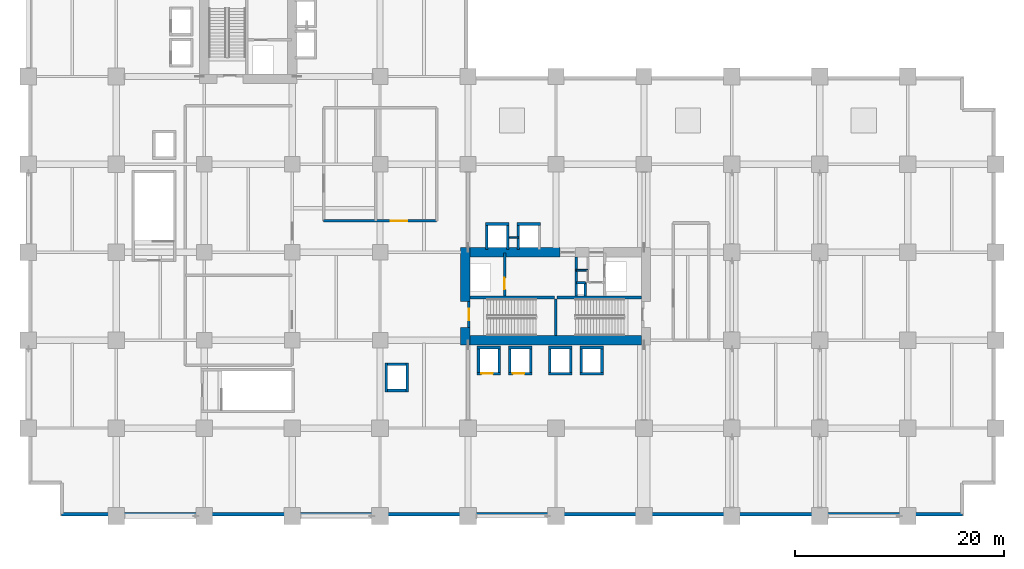
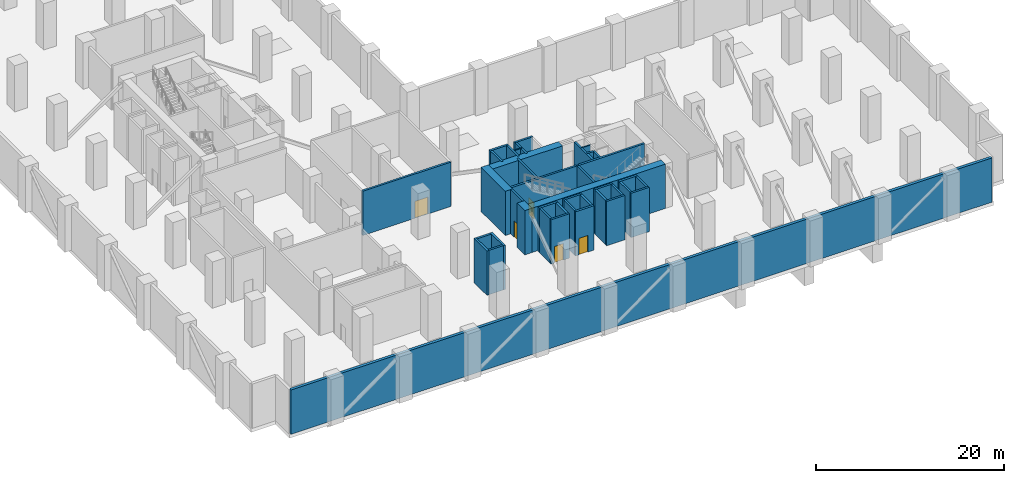
# One storey, part 13 of 20: 41 walls, 5 doors, 5 openings.
"""IFC4 building model written with IfcOpenShell, lengths in metres."""

from ifc_helpers import new_model, si_unit, direction, frame, frame_2d, origin, place, context, subcontext, project, spatial, rectangle, extrude, material, layer, layer_set, type_object, element, fill, save


model = new_model("IFC4")

# Units and contexts
model_context = context("Model", 3, precision=1e-05, world=origin(), true_north=direction((0.0, 1.0)))
body_context = subcontext(model_context, "Body", "Model", "MODEL_VIEW")
ifc_project = project(units=[si_unit("LENGTHUNIT", "METRE"), si_unit("AREAUNIT", "SQUARE_METRE"), si_unit("VOLUMEUNIT", "CUBIC_METRE"), si_unit("PLANEANGLEUNIT", "RADIAN"), si_unit("MASSUNIT", "GRAM", prefix="KILO")], contexts=[model_context])

# Site, building, storey
site_placement = place(None, origin())
site = spatial("IfcSite", under=ifc_project, at=site_placement, CompositionType="ELEMENT")
building_placement = place(site_placement, origin())
building = spatial("IfcBuilding", under=site, at=building_placement, Name="Koriwani Terraces Tower", CompositionType="ELEMENT")
storey_placement = place(building_placement, frame((0.0, 0.0, 26.0)))
storey = spatial("IfcBuildingStorey", under=building, at=storey_placement, Name="L05", CompositionType="ELEMENT", Elevation=26.0)

# Walls
ifc_material_1 = material(Name="Concrete C60/75", Category="concrete")
ifc_layer_1 = layer(ifc_material_1, 0.89990234375, Name="Concrete C60/75")
ifc_layer_set_1 = layer_set([ifc_layer_1], Name="Concrete C60/75")
wall_type_1 = type_object("IfcWallType", Name="WALL_CORE_RC_900", PredefinedType="SHEAR", material=ifc_layer_set_1)
wall_1_placement = place(storey_placement, frame((41.75, 16.35009765625, 0.0), z_axis=(0.0, 0.0, 1.0), x_axis=(0.0, 1.0, 0.0)))
element("IfcWall", 1, at=wall_1_placement, inside=storey, type_object=wall_type_1, Name="L05 East Split Core Shear Wall W1", PredefinedType="SHEAR", context=body_context, shape_type="SweptSolid", body=[
    extrude(rectangle(XDim=1.64990234375, YDim=0.89990234375, at=frame_2d((0.824951171875, 0.0))), origin(), (0.0, 0.0, 1.0), 5.75),
])
wall_2_placement = place(storey_placement, frame((41.75, 20.5, 0.0), z_axis=(0.0, 0.0, 1.0), x_axis=(0.0, 1.0, 0.0)))
element("IfcWall", 2, at=wall_2_placement, inside=storey, type_object=wall_type_1, Name="L05 East Split Core Shear Wall W2", PredefinedType="SHEAR", context=body_context, shape_type="SweptSolid", body=[
    extrude(rectangle(XDim=5.14990234375, YDim=0.89990234375, at=frame_2d((2.574951171875, 0.0))), origin(), (0.0, 0.0, 1.0), 5.75),
])
wall_3_placement = place(storey_placement, frame((42.199951171875, 16.800048828125, 0.0), z_axis=(0.0, 0.0, 1.0), x_axis=(1.0, 0.0, 0.0)))
element("IfcWall", 3, at=wall_3_placement, inside=storey, type_object=wall_type_1, Name="L05 East Split Core Shear Wall S1", PredefinedType="SHEAR", context=body_context, shape_type="SweptSolid", body=[
    extrude(rectangle(XDim=16.35009765625, YDim=0.89990234375, at=frame_2d((8.175048828125, 0.0))), origin(), (0.0, 0.0, 1.0), 5.75),
])
wall_4_placement = place(storey_placement, frame((42.199951171875, 25.199951171875, 0.0), z_axis=(0.0, 0.0, 1.0), x_axis=(1.0, 0.0, 0.0)))
element("IfcWall", 4, at=wall_4_placement, inside=storey, type_object=wall_type_1, Name="L05 East Split Core Shear Wall N1", PredefinedType="SHEAR", context=body_context, shape_type="SweptSolid", body=[
    extrude(rectangle(XDim=8.60009765625, YDim=0.89990234375, at=frame_2d((4.300048828125, 0.0))), origin(), (0.0, 0.0, 1.0), 5.75),
])
ifc_material_2 = material(Name="Concrete C50/60", Category="concrete")
ifc_layer_2 = layer(ifc_material_2, 0.35009765625, Name="Concrete C50/60")
ifc_layer_set_2 = layer_set([ifc_layer_2], Name="Concrete C50/60")
wall_type_2 = type_object("IfcWallType", Name="WALL_EXT_BRUTALIST_350", PredefinedType="STANDARD", material=ifc_layer_set_2)
wall_5_placement = place(storey_placement, frame((89.22509765625, 0.175048828125, 0.0), z_axis=(0.0, 0.0, 1.0), x_axis=(-1.0, 0.0, 0.0)))
element("IfcWall", 5, at=wall_5_placement, inside=storey, type_object=wall_type_2, Name="L05 Fair-Faced Brutalist Exterior Wall (S)", PredefinedType="STANDARD", context=body_context, shape_type="SweptSolid", body=[
    extrude(rectangle(XDim=86.050048828125, YDim=0.35009765625, at=frame_2d((43.02490234375, 0.0))), origin(), (0.0, 0.0, 1.0), 5.75),
])
ifc_material_3 = material(Name="Concrete C40/50", Category="concrete")
ifc_layer_3 = layer(ifc_material_3, 0.25, Name="Concrete C40/50")
ifc_layer_set_3 = layer_set([ifc_layer_3], Name="Concrete C40/50")
wall_type_3 = type_object("IfcWallType", Name="WALL_SHAFT_RATED_250", PredefinedType="SOLIDWALL", material=ifc_layer_set_3)
for number, where, z_axis, x_axis, name in (
    (6, (42.199951171875, 20.875, 0.0), (0.0, 0.0, 1.0), (1.0, 0.0, 0.0), "L05 East Split Core Web Wall MID1"),
    (7, (50.5, 20.875, 0.0), (0.0, 0.0, 1.0), (1.0, 0.0, 0.0), "L05 East Split Core Web Wall MID2"),
):
    element("IfcWall", number, at=place(storey_placement, frame(where, z_axis=z_axis, x_axis=x_axis)), inside=storey, type_object=wall_type_3, Name=name, PredefinedType="SOLIDWALL", context=body_context, shape_type="SweptSolid", body=[
        extrude(rectangle(XDim=8.050048828125, YDim=0.25, at=frame_2d((4.02490234375, 0.0))), origin(), (0.0, 0.0, 1.0), 5.75),
    ])
wall_6_placement = place(storey_placement, frame((50.375, 17.25, 0.0), z_axis=(0.0, 0.0, 1.0), x_axis=(0.0, 1.0, 0.0)))
element("IfcWall", 8, at=wall_6_placement, inside=storey, type_object=wall_type_3, Name="L05 East Split Core Stair Dividing Wall", PredefinedType="SOLIDWALL", context=body_context, shape_type="SweptSolid", body=[
    extrude(rectangle(XDim=3.5, YDim=0.25, at=frame_2d((1.75, 0.0))), origin(), (0.0, 0.0, 1.0), 5.75),
])

# Wall, opening, door
wall_7_placement = place(storey_placement, frame((42.074951171875, 18.0, 0.0), z_axis=(0.0, 0.0, 1.0), x_axis=(0.0, 1.0, 0.0)))
wall_7 = element("IfcWall", 9, at=wall_7_placement, inside=storey, type_object=wall_type_3, Name="L05 Interior Wall WIN-CE-L05-STW", PredefinedType="SOLIDWALL", context=body_context, shape_type="SweptSolid", body=[
    extrude(rectangle(XDim=2.5, YDim=0.25, at=frame_2d((1.25, 0.0))), origin(), (0.0, 0.0, 1.0), 5.75),
])
opening_1_placement = place(wall_7_placement, frame((0.699951171875, 0.0, 0.0)))
opening_1 = element("IfcOpeningElement", 10, at=opening_1_placement, cuts=wall_7, Name="Opening D-03", PredefinedType="OPENING", context=body_context, shape_type="SweptSolid", body=[
    extrude(rectangle(XDim=1.10009765625, YDim=2.14990234375, at=frame_2d((0.550048828125, 1.074951171875))), frame((0.0, 0.135009765625, 0.0), z_axis=(0.0, -1.0, 0.0), x_axis=(1.0, 0.0, 0.0)), (0.0, 0.0, 1.0), 0.27001953125),
])
ifc_material_4 = material(Name="Steel ASTM A572 Grade 50", Category="steel")
door_type_1 = type_object("IfcDoorType", Name="DOOR_STAIR_FIRE_1100X2150", OperationType="NOTDEFINED", PredefinedType="DOOR", material=ifc_material_4)
door_1_placement = place(opening_1_placement, origin())
door_1 = element("IfcDoor", 11, at=door_1_placement, inside=storey, type_object=door_type_1, Name="L05 Exit Stair ST-E1 Door", OperationType="SINGLE_SWING_RIGHT", OverallHeight=2.14990234375, OverallWidth=1.10009765625, PredefinedType="DOOR", context=body_context, shape_type="SweptSolid", body=[
    extrude(rectangle(XDim=1.10009765625, YDim=2.14990234375, at=frame_2d((0.550048828125, 1.074951171875))), frame((0.0, 0.02490234375, 0.0), z_axis=(0.0, -1.0, 0.0), x_axis=(1.0, 0.0, 0.0)), (0.0, 0.0, 1.0), 0.050048828125),
])
fill(opening_1, door_1)

wall_8_placement = place(storey_placement, frame((45.5, 21.0, 0.0), z_axis=(0.0, 0.0, 1.0), x_axis=(0.0, 1.0, 0.0)))
wall_8 = element("IfcWall", 12, at=wall_8_placement, inside=storey, type_object=wall_type_3, Name="L05 Interior Wall WIN-CE-L05-FE", PredefinedType="SOLIDWALL", context=body_context, shape_type="SweptSolid", body=[
    extrude(rectangle(XDim=4.14990234375, YDim=0.25, at=frame_2d((2.074951171875, 0.0))), origin(), (0.0, 0.0, 1.0), 5.75),
])
opening_2_placement = place(wall_8_placement, frame((0.64990234375, 0.0, 0.0)))
opening_2 = element("IfcOpeningElement", 13, at=opening_2_placement, cuts=wall_8, Name="Opening LD-01", PredefinedType="OPENING", context=body_context, shape_type="SweptSolid", body=[
    extrude(rectangle(XDim=1.10009765625, YDim=2.14990234375, at=frame_2d((0.550048828125, 1.074951171875))), frame((0.0, 0.135009765625, 0.0), z_axis=(0.0, -1.0, 0.0), x_axis=(1.0, 0.0, 0.0)), (0.0, 0.0, 1.0), 0.27001953125),
])
door_type_2 = type_object("IfcDoorType", Name="DOOR_LIFT_LANDING_1100X2200", OperationType="NOTDEFINED", PredefinedType="DOOR", material=ifc_material_4)
door_2_placement = place(opening_2_placement, origin())
door_2 = element("IfcDoor", 14, at=door_2_placement, inside=storey, type_object=door_type_2, Name="L05 Firefighting Lift FE-02 Landing Door", OperationType="SLIDING_TO_LEFT", OverallHeight=2.14990234375, OverallWidth=1.10009765625, PredefinedType="DOOR", context=body_context, shape_type="SweptSolid", body=[
    extrude(rectangle(XDim=1.10009765625, YDim=2.14990234375, at=frame_2d((0.550048828125, 1.074951171875))), frame((0.0, 0.02490234375, 0.0), z_axis=(0.0, -1.0, 0.0), x_axis=(1.0, 0.0, 0.0)), (0.0, 0.0, 1.0), 0.050048828125),
])
fill(opening_2, door_2)

# Walls
wall_9_placement = place(storey_placement, frame((52.340087890625, 21.0, 0.0), z_axis=(0.0, 0.0, 1.0), x_axis=(0.0, 1.0, 0.0)))
element("IfcWall", 15, at=wall_9_placement, inside=storey, type_object=wall_type_3, Name="L05 Interior Wall WIN-CE-L05-FFE", PredefinedType="SOLIDWALL", context=body_context, shape_type="SweptSolid", body=[
    extrude(rectangle(XDim=3.75, YDim=0.25, at=frame_2d((1.875, 0.0))), origin(), (0.0, 0.0, 1.0), 5.75),
])
wall_10_placement = place(storey_placement, frame((53.199951171875, 21.0, 0.0), z_axis=(0.0, 0.0, 1.0), x_axis=(0.0, 1.0, 0.0)))
element("IfcWall", 16, at=wall_10_placement, inside=storey, type_object=wall_type_3, Name="L05 Interior Wall WIN-CE-L05-RS1", PredefinedType="SOLIDWALL", context=body_context, shape_type="SweptSolid", body=[
    extrude(rectangle(XDim=1.300048828125, YDim=0.25, at=frame_2d((0.64990234375, 0.0))), origin(), (0.0, 0.0, 1.0), 5.75),
])
wall_11_placement = place(storey_placement, frame((52.360107421875, 22.300048828125, 0.0), z_axis=(0.0, 0.0, 1.0), x_axis=(1.0, 0.0, 0.0)))
element("IfcWall", 17, at=wall_11_placement, inside=storey, type_object=wall_type_3, Name="L05 Interior Wall WIN-CE-L05-RS2", PredefinedType="SOLIDWALL", context=body_context, shape_type="SweptSolid", body=[
    extrude(rectangle(XDim=0.83984375, YDim=0.25, at=frame_2d((0.419921875, 0.0))), origin(), (0.0, 0.0, 1.0), 5.75),
])
for number, where, z_axis, x_axis, name in (
    (18, (34.199951171875, 11.875, 0.0), (0.0, 0.0, 1.0), (0.0, 1.0, 0.0), "L05 Interior Wall WIN-LF-PE-P2-L05-F"),
    (19, (36.199951171875, 11.875, 0.0), (0.0, 0.0, 1.0), (0.0, 1.0, 0.0), "L05 Interior Wall WIN-LF-PE-P2-L05-B"),
):
    element("IfcWall", number, at=place(storey_placement, frame(where, z_axis=z_axis, x_axis=x_axis)), inside=storey, type_object=wall_type_3, Name=name, PredefinedType="SOLIDWALL", context=body_context, shape_type="SweptSolid", body=[
        extrude(rectangle(XDim=2.75, YDim=0.25, at=frame_2d((1.375, 0.0))), origin(), (0.0, 0.0, 1.0), 5.75),
    ])
for number, where, z_axis, x_axis, name in (
    (20, (34.324951171875, 12.0, 0.0), (0.0, 0.0, 1.0), (1.0, 0.0, 0.0), "L05 Interior Wall WIN-LF-PE-P2-L05-S"),
    (21, (34.324951171875, 14.5, 0.0), (0.0, 0.0, 1.0), (1.0, 0.0, 0.0), "L05 Interior Wall WIN-LF-PE-P2-L05-N"),
):
    element("IfcWall", number, at=place(storey_placement, frame(where, z_axis=z_axis, x_axis=x_axis)), inside=storey, type_object=wall_type_3, Name=name, PredefinedType="SOLIDWALL", context=body_context, shape_type="SweptSolid", body=[
        extrude(rectangle(XDim=1.75, YDim=0.25, at=frame_2d((0.875, 0.0))), origin(), (0.0, 0.0, 1.0), 5.75),
    ])

# Wall, opening, door
wall_12_placement = place(storey_placement, frame((42.875, 13.60009765625, 0.0), z_axis=(0.0, 0.0, 1.0), x_axis=(1.0, 0.0, 0.0)))
wall_12 = element("IfcWall", 22, at=wall_12_placement, inside=storey, type_object=wall_type_3, Name="L05 Interior Wall WIN-LF-PE-L3-L05-F", PredefinedType="SOLIDWALL", context=body_context, shape_type="SweptSolid", body=[
    extrude(rectangle(XDim=2.25, YDim=0.25, at=frame_2d((1.125, 0.0))), origin(), (0.0, 0.0, 1.0), 5.75),
])
opening_3_placement = place(wall_12_placement, frame((0.39990234375, 0.0, 0.0)))
opening_3 = element("IfcOpeningElement", 23, at=opening_3_placement, cuts=wall_12, Name="Opening LD-01", PredefinedType="OPENING", context=body_context, shape_type="SweptSolid", body=[
    extrude(rectangle(XDim=1.10009765625, YDim=2.14990234375, at=frame_2d((0.550048828125, 1.074951171875))), frame((0.0, 0.135009765625, 0.0), z_axis=(0.0, -1.0, 0.0), x_axis=(1.0, 0.0, 0.0)), (0.0, 0.0, 1.0), 0.27001953125),
])
door_3_placement = place(opening_3_placement, origin())
door_3 = element("IfcDoor", 24, at=door_3_placement, inside=storey, type_object=door_type_2, Name="L05 Passenger Lift PE-L3 Landing Door", OperationType="SLIDING_TO_LEFT", OverallHeight=2.14990234375, OverallWidth=1.10009765625, PredefinedType="DOOR", context=body_context, shape_type="SweptSolid", body=[
    extrude(rectangle(XDim=1.10009765625, YDim=2.14990234375, at=frame_2d((0.550048828125, 1.074951171875))), frame((0.0, 0.02490234375, 0.0), z_axis=(0.0, -1.0, 0.0), x_axis=(1.0, 0.0, 0.0)), (0.0, 0.0, 1.0), 0.050048828125),
])
fill(opening_3, door_3)

# Walls
for number, where, z_axis, x_axis, name in (
    (25, (42.875, 16.10009765625, 0.0), (0.0, 0.0, 1.0), (1.0, 0.0, 0.0), "L05 Interior Wall WIN-LF-PE-L3-L05-B"),
    (26, (43.0, 13.72509765625, 0.0), (0.0, 0.0, 1.0), (0.0, 1.0, 0.0), "L05 Interior Wall WIN-LF-PE-L3-L05-W"),
    (27, (45.0, 13.72509765625, 0.0), (0.0, 0.0, 1.0), (0.0, 1.0, 0.0), "L05 Interior Wall WIN-LF-PE-L3-L05-E"),
):
    element("IfcWall", number, at=place(storey_placement, frame(where, z_axis=z_axis, x_axis=x_axis)), inside=storey, type_object=wall_type_3, Name=name, PredefinedType="SOLIDWALL", context=body_context, shape_type="SweptSolid", body=[
        extrude(rectangle(XDim=2.25, YDim=0.25, at=frame_2d((1.125, 0.0))), origin(), (0.0, 0.0, 1.0), 5.75),
    ])

# Wall, opening, door
wall_13_placement = place(storey_placement, frame((45.875, 13.60009765625, 0.0), z_axis=(0.0, 0.0, 1.0), x_axis=(1.0, 0.0, 0.0)))
wall_13 = element("IfcWall", 28, at=wall_13_placement, inside=storey, type_object=wall_type_3, Name="L05 Interior Wall WIN-LF-PE-L4-L05-F", PredefinedType="SOLIDWALL", context=body_context, shape_type="SweptSolid", body=[
    extrude(rectangle(XDim=2.25, YDim=0.25, at=frame_2d((1.125, 0.0))), origin(), (0.0, 0.0, 1.0), 5.75),
])
opening_4_placement = place(wall_13_placement, frame((0.39990234375, 0.0, 0.0)))
opening_4 = element("IfcOpeningElement", 29, at=opening_4_placement, cuts=wall_13, Name="Opening LD-01", PredefinedType="OPENING", context=body_context, shape_type="SweptSolid", body=[
    extrude(rectangle(XDim=1.10009765625, YDim=2.14990234375, at=frame_2d((0.550048828125, 1.074951171875))), frame((0.0, 0.135009765625, 0.0), z_axis=(0.0, -1.0, 0.0), x_axis=(1.0, 0.0, 0.0)), (0.0, 0.0, 1.0), 0.27001953125),
])
door_4_placement = place(opening_4_placement, origin())
door_4 = element("IfcDoor", 30, at=door_4_placement, inside=storey, type_object=door_type_2, Name="L05 Passenger Lift PE-L4 Landing Door", OperationType="SLIDING_TO_LEFT", OverallHeight=2.14990234375, OverallWidth=1.10009765625, PredefinedType="DOOR", context=body_context, shape_type="SweptSolid", body=[
    extrude(rectangle(XDim=1.10009765625, YDim=2.14990234375, at=frame_2d((0.550048828125, 1.074951171875))), frame((0.0, 0.02490234375, 0.0), z_axis=(0.0, -1.0, 0.0), x_axis=(1.0, 0.0, 0.0)), (0.0, 0.0, 1.0), 0.050048828125),
])
fill(opening_4, door_4)

# Walls
for number, where, z_axis, x_axis, name in (
    (31, (45.875, 16.10009765625, 0.0), (0.0, 0.0, 1.0), (1.0, 0.0, 0.0), "L05 Interior Wall WIN-LF-PE-L4-L05-B"),
    (32, (46.0, 13.72509765625, 0.0), (0.0, 0.0, 1.0), (0.0, 1.0, 0.0), "L05 Interior Wall WIN-LF-PE-L4-L05-W"),
    (33, (48.0, 13.72509765625, 0.0), (0.0, 0.0, 1.0), (0.0, 1.0, 0.0), "L05 Interior Wall WIN-LF-PE-L4-L05-E"),
    (34, (49.675048828125, 13.60009765625, 0.0), (0.0, 0.0, 1.0), (1.0, 0.0, 0.0), "L05 Interior Wall WIN-LF-PE-M3-L05-F"),
    (35, (49.675048828125, 16.10009765625, 0.0), (0.0, 0.0, 1.0), (1.0, 0.0, 0.0), "L05 Interior Wall WIN-LF-PE-M3-L05-B"),
    (36, (49.800048828125, 13.72509765625, 0.0), (0.0, 0.0, 1.0), (0.0, 1.0, 0.0), "L05 Interior Wall WIN-LF-PE-M3-L05-W"),
    (37, (51.800048828125, 13.72509765625, 0.0), (0.0, 0.0, 1.0), (0.0, 1.0, 0.0), "L05 Interior Wall WIN-LF-PE-M3-L05-E"),
    (38, (52.675048828125, 13.60009765625, 0.0), (0.0, 0.0, 1.0), (1.0, 0.0, 0.0), "L05 Interior Wall WIN-LF-PE-M4-L05-F"),
    (39, (52.675048828125, 16.10009765625, 0.0), (0.0, 0.0, 1.0), (1.0, 0.0, 0.0), "L05 Interior Wall WIN-LF-PE-M4-L05-B"),
    (40, (52.800048828125, 13.72509765625, 0.0), (0.0, 0.0, 1.0), (0.0, 1.0, 0.0), "L05 Interior Wall WIN-LF-PE-M4-L05-W"),
    (41, (54.800048828125, 13.72509765625, 0.0), (0.0, 0.0, 1.0), (0.0, 1.0, 0.0), "L05 Interior Wall WIN-LF-PE-M4-L05-E"),
    (42, (43.675048828125, 27.89990234375, 0.0), (0.0, 0.0, 1.0), (1.0, 0.0, 0.0), "L05 Interior Wall WIN-LF-PE-H3-L05-F"),
):
    element("IfcWall", number, at=place(storey_placement, frame(where, z_axis=z_axis, x_axis=x_axis)), inside=storey, type_object=wall_type_3, Name=name, PredefinedType="SOLIDWALL", context=body_context, shape_type="SweptSolid", body=[
        extrude(rectangle(XDim=2.25, YDim=0.25, at=frame_2d((1.125, 0.0))), origin(), (0.0, 0.0, 1.0), 5.75),
    ])
for number, where, z_axis, x_axis, name in (
    (43, (43.800048828125, 25.449951171875, 0.0), (0.0, 0.0, 1.0), (0.0, 1.0, 0.0), "L05 Interior Wall WIN-LF-PE-H3-L05-W"),
    (44, (45.800048828125, 25.449951171875, 0.0), (0.0, 0.0, 1.0), (0.0, 1.0, 0.0), "L05 Interior Wall WIN-LF-PE-H3-L05-E"),
):
    element("IfcWall", number, at=place(storey_placement, frame(where, z_axis=z_axis, x_axis=x_axis)), inside=storey, type_object=wall_type_3, Name=name, PredefinedType="SOLIDWALL", context=body_context, shape_type="SweptSolid", body=[
        extrude(rectangle(XDim=2.324951171875, YDim=0.25, at=frame_2d((1.16259765625, 0.0))), origin(), (0.0, 0.0, 1.0), 5.75),
    ])
wall_14_placement = place(storey_placement, frame((46.675048828125, 27.89990234375, 0.0), z_axis=(0.0, 0.0, 1.0), x_axis=(1.0, 0.0, 0.0)))
element("IfcWall", 45, at=wall_14_placement, inside=storey, type_object=wall_type_3, Name="L05 Interior Wall WIN-LF-PE-H4-L05-F", PredefinedType="SOLIDWALL", context=body_context, shape_type="SweptSolid", body=[
    extrude(rectangle(XDim=2.25, YDim=0.25, at=frame_2d((1.125, 0.0))), origin(), (0.0, 0.0, 1.0), 5.75),
])
wall_15_placement = place(storey_placement, frame((46.800048828125, 25.449951171875, 0.0), z_axis=(0.0, 0.0, 1.0), x_axis=(0.0, 1.0, 0.0)))
element("IfcWall", 46, at=wall_15_placement, inside=storey, type_object=wall_type_3, Name="L05 Interior Wall WIN-LF-PE-H4-L05-W", PredefinedType="SOLIDWALL", context=body_context, shape_type="SweptSolid", body=[
    extrude(rectangle(XDim=2.324951171875, YDim=0.25, at=frame_2d((1.16259765625, 0.0))), origin(), (0.0, 0.0, 1.0), 5.75),
])

# Wall, opening, door
wall_16_placement = place(storey_placement, frame((28.199951171875, 28.199951171875, 0.0), z_axis=(0.0, 0.0, 1.0), x_axis=(1.0, 0.0, 0.0)))
wall_16 = element("IfcWall", 47, at=wall_16_placement, inside=storey, type_object=wall_type_3, Name="L05 Interior Wall WPL2-L05-S", PredefinedType="SOLIDWALL", context=body_context, shape_type="SweptSolid", body=[
    extrude(rectangle(XDim=10.800048828125, YDim=0.25, at=frame_2d((5.39990234375, 0.0))), origin(), (0.0, 0.0, 1.0), 5.75),
])
opening_5_placement = place(wall_16_placement, frame((6.39990234375, 0.0, 0.0)))
opening_5 = element("IfcOpeningElement", 48, at=opening_5_placement, cuts=wall_16, Name="Opening D-08", PredefinedType="OPENING", context=body_context, shape_type="SweptSolid", body=[
    extrude(rectangle(XDim=1.60009765625, YDim=2.199951171875, at=frame_2d((0.800048828125, 1.10009765625))), frame((0.0, 0.135009765625, 0.0), z_axis=(0.0, -1.0, 0.0), x_axis=(1.0, 0.0, 0.0)), (0.0, 0.0, 1.0), 0.27001953125),
])
door_type_3 = type_object("IfcDoorType", Name="DOOR_PLANT_DOUBLE_1600X2200", OperationType="NOTDEFINED", PredefinedType="DOOR", material=ifc_material_4)
door_5_placement = place(opening_5_placement, origin())
door_5 = element("IfcDoor", 49, at=door_5_placement, inside=storey, type_object=door_type_3, Name="L05 Electrical Transformer Room Door", OperationType="SINGLE_SWING_RIGHT", OverallHeight=2.199951171875, OverallWidth=1.60009765625, PredefinedType="DOOR", context=body_context, shape_type="SweptSolid", body=[
    extrude(rectangle(XDim=1.60009765625, YDim=2.199951171875, at=frame_2d((0.800048828125, 1.10009765625))), frame((0.0, 0.02490234375, 0.0), z_axis=(0.0, -1.0, 0.0), x_axis=(1.0, 0.0, 0.0)), (0.0, 0.0, 1.0), 0.050048828125),
])
fill(opening_5, door_5)

# Walls
ifc_material_5 = material(Name="Fire-Rated Acoustic Gypsum Partition", Category="masonry")
ifc_layer_4 = layer(ifc_material_5, 0.159912109375, Name="Fire-Rated Acoustic Gypsum Partition")
ifc_layer_set_4 = layer_set([ifc_layer_4], Name="Fire-Rated Acoustic Gypsum Partition")
wall_type_4 = type_object("IfcWallType", Name="WALL_SUITE_160", PredefinedType="PARTITIONING", material=ifc_layer_set_4)
wall_17_placement = place(storey_placement, frame((52.360107421875, 23.47998046875, 0.0), z_axis=(0.0, 0.0, 1.0), x_axis=(1.0, 0.0, 0.0)))
element("IfcWall", 50, at=wall_17_placement, inside=storey, type_object=wall_type_4, Name="L05 Interior Wall WIN-CE-L05-SV2V", PredefinedType="PARTITIONING", context=body_context, shape_type="SweptSolid", body=[
    extrude(rectangle(XDim=1.099853515625, YDim=0.159912109375, at=frame_2d((0.5498046875, 0.0))), origin(), (0.0, 0.0, 1.0), 5.75),
])
wall_18_placement = place(storey_placement, frame((45.9599609375, 26.60009765625, 0.0), z_axis=(0.0, 0.0, 1.0), x_axis=(1.0, 0.0, 0.0)))
element("IfcWall", 51, at=wall_18_placement, inside=storey, type_object=wall_type_4, Name="L05 Interior Wall WIN-LF-PEH34-MID-L05", PredefinedType="PARTITIONING", context=body_context, shape_type="SweptSolid", body=[
    extrude(rectangle(XDim=0.880126953125, YDim=0.159912109375, at=frame_2d((0.43994140625, 0.0))), origin(), (0.0, 0.0, 1.0), 5.75),
])

save(model, "model.ifc")
